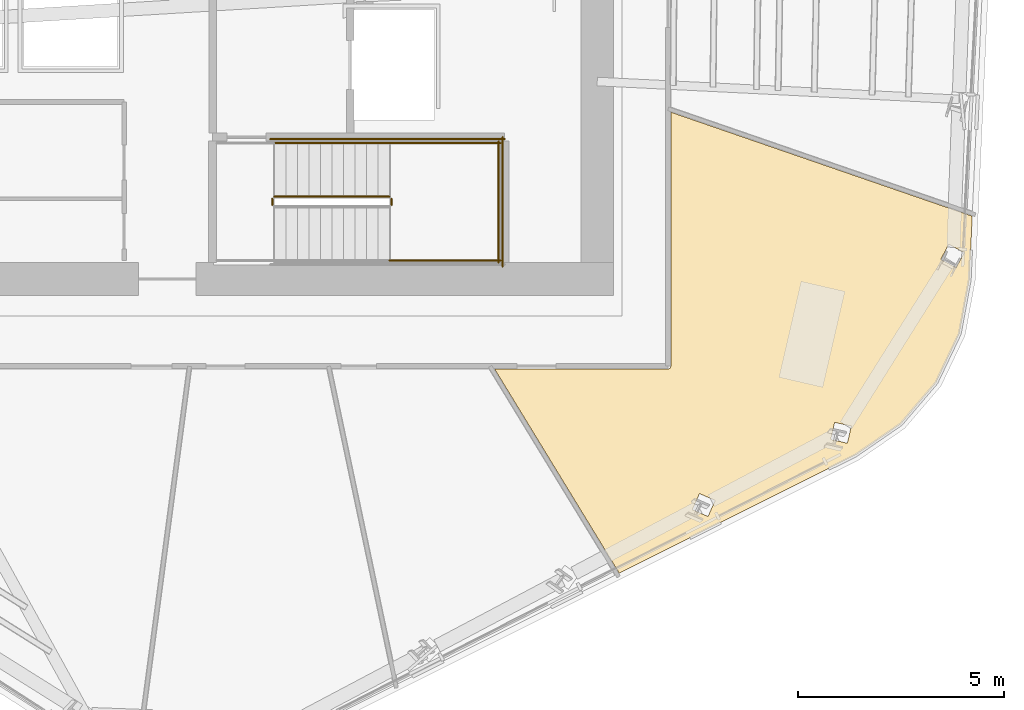
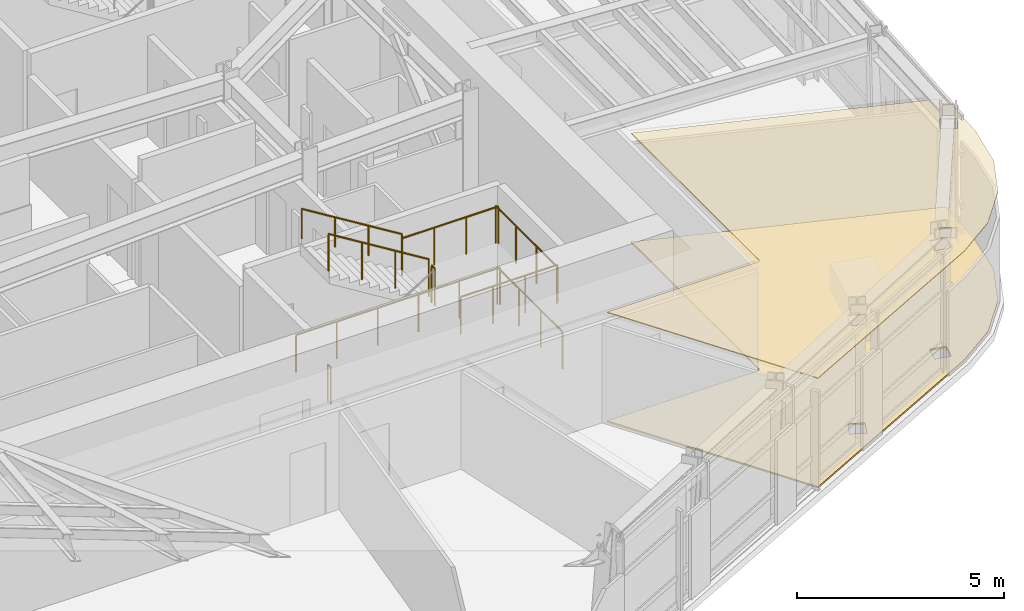
# One storey, part 10 of 14: 9 railings, 2 coverings.
"""IFC4 building model written with IfcOpenShell, lengths in metres."""

from ifc_helpers import new_model, si_unit, direction, frame, origin, origin_2d, place, context, subcontext, project, spatial, polyline, circle, outline, extrude, material, layer, layer_set, type_object, element, save


model = new_model("IFC4")

# Units and contexts
model_context = context("Model", 3, precision=1e-05, world=origin(), true_north=direction((0.0, 1.0)))
body_context = subcontext(model_context, "Body", "Model", "MODEL_VIEW")
ifc_project = project(units=[si_unit("LENGTHUNIT", "METRE"), si_unit("AREAUNIT", "SQUARE_METRE"), si_unit("VOLUMEUNIT", "CUBIC_METRE"), si_unit("PLANEANGLEUNIT", "RADIAN"), si_unit("MASSUNIT", "GRAM", prefix="KILO")], contexts=[model_context])

# Site, building, storey
site_placement = place(None, origin())
site = spatial("IfcSite", under=ifc_project, at=site_placement, CompositionType="ELEMENT")
building_placement = place(site_placement, origin())
building = spatial("IfcBuilding", under=site, at=building_placement, Name="Valkerne Bourse Tower", CompositionType="ELEMENT")
storey_placement = place(building_placement, frame((0.0, 0.0, 140.0)))
storey = spatial("IfcBuildingStorey", under=building, at=storey_placement, Name="L35", CompositionType="ELEMENT", Elevation=140.0)

# Coverings
ifc_material_1 = material(Name="Mineral Fiber Acoustic Ceiling Tile", Category="acoustic")
ifc_layer_1 = layer(ifc_material_1, 0.02490234375)
ifc_layer_set_1 = layer_set([ifc_layer_1], Name="Mineral Fiber Acoustic Ceiling Tile")
covering_type_1 = type_object("IfcCoveringType", Name="COV-CEIL-ACT", PredefinedType="CEILING", material=ifc_layer_set_1)
covering_1_placement = place(storey_placement, frame((0.0, 0.0, 3.22998046875)))
element("IfcCovering", 1, at=covering_1_placement, inside=storey, type_object=covering_type_1, Name="L35 Suspended Ceiling 08", PredefinedType="CEILING", context=body_context, shape_type="SweptSolid", body=[
    extrude(outline(polyline([(63.379150390625, 14.67333984375), (62.284423828125, 13.9208984375), (56.53515625, 11.04736328125), (53.50537109375, 16.010986328125), (57.720458984375, 16.010986328125), (57.75, 16.017822265625), (57.77587890625, 16.039306640625), (57.7890625, 16.079345703125), (57.7890625, 22.254150390625), (65.11572265625, 19.72705078125), (65.04638671875, 18.174072265625), (64.80419921875, 16.867919921875), (64.236083984375, 15.6767578125), (63.379150390625, 14.67333984375)]), holes=[polyline([(58.69482421875, 12.4267578125), (58.865234375, 12.814453125), (58.48681640625, 12.982177734375), (58.484619140625, 12.98046875), (58.31396484375, 12.592529296875), (58.692626953125, 12.425048828125), (58.69482421875, 12.4267578125)]), polyline([(62.17626953125, 14.62109375), (61.772705078125, 14.71484375), (61.77099609375, 14.712646484375), (61.676513671875, 14.2998046875), (62.079833984375, 14.206298828125), (62.081787109375, 14.20849609375), (62.17626953125, 14.62109375)]), polyline([(64.9208984375, 18.841064453125), (64.54638671875, 19.041015625), (64.3515625, 18.677001953125), (64.350341796875, 18.67431640625), (64.724853515625, 18.47412109375), (64.919677734375, 18.83837890625), (64.9208984375, 18.841064453125)])]), origin(), (0.0, 0.0, 1.0), 0.02490234375),
])
ifc_material_2 = material(Name="Galvanised Painted Steel", Category="steel")
ifc_layer_2 = layer(ifc_material_2, 0.044921875)
ifc_layer_set_2 = layer_set([ifc_layer_2], Name="Galvanised Painted Steel")
covering_type_2 = type_object("IfcCoveringType", Name="COV-FLR-RAF", PredefinedType="FLOORING", material=ifc_layer_set_2)
covering_2_placement = place(storey_placement, origin())
element("IfcCovering", 2, at=covering_2_placement, inside=storey, type_object=covering_type_2, Name="L35 Floor Finish 08", PredefinedType="FLOORING", context=body_context, shape_type="SweptSolid", body=[
    extrude(outline(polyline([(63.379150390625, 14.67333984375), (62.284423828125, 13.9208984375), (56.53515625, 11.04736328125), (53.50537109375, 16.010986328125), (57.720458984375, 16.010986328125), (57.75, 16.017822265625), (57.77587890625, 16.039306640625), (57.7890625, 16.079345703125), (57.7890625, 22.254150390625), (65.11572265625, 19.72705078125), (65.04638671875, 18.174072265625), (64.80419921875, 16.867919921875), (64.236083984375, 15.6767578125), (63.379150390625, 14.67333984375)]), holes=[polyline([(58.69482421875, 12.4267578125), (58.865234375, 12.814453125), (58.48681640625, 12.982177734375), (58.484619140625, 12.98046875), (58.31396484375, 12.592529296875), (58.692626953125, 12.425048828125), (58.69482421875, 12.4267578125)]), polyline([(62.17626953125, 14.62109375), (61.772705078125, 14.71484375), (61.77099609375, 14.712646484375), (61.676513671875, 14.2998046875), (62.079833984375, 14.206298828125), (62.081787109375, 14.20849609375), (62.17626953125, 14.62109375)]), polyline([(64.9208984375, 18.841064453125), (64.54638671875, 19.041015625), (64.3515625, 18.677001953125), (64.350341796875, 18.67431640625), (64.724853515625, 18.47412109375), (64.919677734375, 18.83837890625), (64.9208984375, 18.841064453125)])]), origin(), (0.0, 0.0, 1.0), 0.044921875),
])

# Railings
railing_type_1 = type_object("IfcRailingType", Name="RLG-ST-GUARD-1120", PredefinedType="GUARDRAIL", material=ifc_material_2)
railing_1_placement = place(storey_placement, frame((51.0, 20.0, 1.89990234375)))
element("IfcRailing", 3, at=railing_1_placement, inside=storey, type_object=railing_type_1, Name="L35 ST-1 stair guard 2", PredefinedType="GUARDRAIL", context=body_context, shape_type="SweptSolid", body=[
    extrude(circle(Radius=0.02392578125, at=origin_2d()), frame((0.0, 0.0, 1.09619140625), z_axis=(0.0, 1.0, 0.0), x_axis=(-1.0, 0.0, 0.0)), (0.0, 0.0, 1.0), 0.14990234375),
    extrude(circle(Radius=0.02099609375, at=origin_2d()), origin(), (0.0, 0.0, 1.0), 1.072021484375),
    extrude(circle(Radius=0.02099609375, at=origin_2d()), frame((0.0, 0.14990234375, 0.0)), (0.0, 0.0, 1.0), 1.072021484375),
])
for number, where, name in (
    (4, (50.949951171875, 18.64990234375, 1.89990234375), "L35 ST-1 stair guard 3"),
    (5, (50.949951171875, 21.5, 1.89990234375), "L35 ST-1 stair guard 4"),
):
    element("IfcRailing", number, at=place(storey_placement, frame(where)), inside=storey, type_object=railing_type_1, Name=name, PredefinedType="GUARDRAIL", context=body_context, shape_type="SweptSolid", body=[
        extrude(circle(Radius=0.02392578125, at=origin_2d()), frame((0.0, 0.0, 1.09619140625), z_axis=(1.0, 0.0, 0.0), x_axis=(0.0, 1.0, 0.0)), (0.0, 0.0, 1.0), 2.699951171875),
        extrude(circle(Radius=0.02099609375, at=origin_2d()), origin(), (0.0, 0.0, 1.0), 1.072021484375),
        extrude(circle(Radius=0.02099609375, at=origin_2d()), frame((0.89990234375, 0.0, 0.0)), (0.0, 0.0, 1.0), 1.072021484375),
        extrude(circle(Radius=0.02099609375, at=origin_2d()), frame((1.800048828125, 0.0, 0.0)), (0.0, 0.0, 1.0), 1.072021484375),
        extrude(circle(Radius=0.02099609375, at=origin_2d()), frame((2.699951171875, 0.0, 0.0)), (0.0, 0.0, 1.0), 1.072021484375),
    ])
railing_2_placement = place(storey_placement, frame((53.60009765625, 18.60009765625, 1.89990234375)))
element("IfcRailing", 6, at=railing_2_placement, inside=storey, type_object=railing_type_1, Name="L35 ST-1 stair guard 5", PredefinedType="GUARDRAIL", context=body_context, shape_type="SweptSolid", body=[
    extrude(circle(Radius=0.02392578125, at=origin_2d()), frame((0.0, 0.0, 1.09619140625), z_axis=(0.0, 1.0, 0.0), x_axis=(-1.0, 0.0, 0.0)), (0.0, 0.0, 1.0), 2.949951171875),
    extrude(circle(Radius=0.02099609375, at=origin_2d()), origin(), (0.0, 0.0, 1.0), 1.072021484375),
    extrude(circle(Radius=0.02099609375, at=origin_2d()), frame((0.0, 0.9833984375, 0.0)), (0.0, 0.0, 1.0), 1.072021484375),
    extrude(circle(Radius=0.02099609375, at=origin_2d()), frame((0.0, 1.966552734375, 0.0)), (0.0, 0.0, 1.0), 1.072021484375),
    extrude(circle(Radius=0.02099609375, at=origin_2d()), frame((0.0, 2.949951171875, 0.0)), (0.0, 0.0, 1.0), 1.072021484375),
])
railing_3_placement = place(storey_placement, frame((50.949951171875, 20.199951171875, 2.07275390625)))
element("IfcRailing", 7, at=railing_3_placement, inside=storey, type_object=railing_type_1, Name="L35 ST-1 stair guard 6", PredefinedType="GUARDRAIL", context=body_context, shape_type="SweptSolid", body=[
    extrude(circle(Radius=0.02392578125, at=origin_2d()), frame((0.0, 0.0, 1.09619140625), z_axis=(-0.851089632645, 0.0, 0.525020415988), x_axis=(0.0, -1.0, 0.0)), (0.0, 0.0, 1.0), 3.2900390625),
    extrude(circle(Radius=0.02099609375, at=origin_2d()), origin(), (0.0, 0.0, 1.0), 1.072021484375),
    extrude(circle(Radius=0.02099609375, at=origin_2d()), frame((-0.933349609375, 0.0, 0.57568359375)), (0.0, 0.0, 1.0), 1.072021484375),
    extrude(circle(Radius=0.02099609375, at=origin_2d()), frame((-1.86669921875, 0.0, 1.151611328125)), (0.0, 0.0, 1.0), 1.072021484375),
    extrude(circle(Radius=0.02099609375, at=origin_2d()), frame((-2.800048828125, 0.0, 1.727294921875)), (0.0, 0.0, 1.0), 1.072021484375),
])
railing_4_placement = place(storey_placement, frame((48.10009765625, 20.0, 0.0)))
element("IfcRailing", 8, at=railing_4_placement, inside=storey, type_object=railing_type_1, Name="L35 ST-1 stair guard 7", PredefinedType="GUARDRAIL", context=body_context, shape_type="SweptSolid", body=[
    extrude(circle(Radius=0.02392578125, at=origin_2d()), frame((0.0, 0.0, 1.09619140625), z_axis=(0.0, 1.0, 0.0), x_axis=(-1.0, 0.0, 0.0)), (0.0, 0.0, 1.0), 0.14990234375),
    extrude(circle(Radius=0.02099609375, at=origin_2d()), origin(), (0.0, 0.0, 1.0), 1.072021484375),
    extrude(circle(Radius=0.02099609375, at=origin_2d()), frame((0.0, 0.14990234375, 0.0)), (0.0, 0.0, 1.0), 1.072021484375),
])
railing_5_placement = place(storey_placement, frame((48.050048828125, 21.60009765625, 0.0)))
element("IfcRailing", 9, at=railing_5_placement, inside=storey, type_object=railing_type_1, Name="L35 ST-1 stair guard 11", PredefinedType="GUARDRAIL", context=body_context, shape_type="SweptSolid", body=[
    extrude(circle(Radius=0.02392578125, at=origin_2d()), frame((0.0, 0.0, 1.09619140625), z_axis=(1.0, 0.0, 0.0), x_axis=(0.0, 1.0, 0.0)), (0.0, 0.0, 1.0), 5.699951171875),
    extrude(circle(Radius=0.02099609375, at=origin_2d()), origin(), (0.0, 0.0, 1.0), 1.072021484375),
    extrude(circle(Radius=0.02099609375, at=origin_2d()), frame((1.139892578125, 0.0, 0.0)), (0.0, 0.0, 1.0), 1.072021484375),
    extrude(circle(Radius=0.02099609375, at=origin_2d()), frame((2.280029296875, 0.0, 0.0)), (0.0, 0.0, 1.0), 1.072021484375),
    extrude(circle(Radius=0.02099609375, at=origin_2d()), frame((3.419921875, 0.0, 0.0)), (0.0, 0.0, 1.0), 1.072021484375),
    extrude(circle(Radius=0.02099609375, at=origin_2d()), frame((4.56005859375, 0.0, 0.0)), (0.0, 0.0, 1.0), 1.072021484375),
    extrude(circle(Radius=0.02099609375, at=origin_2d()), frame((5.699951171875, 0.0, 0.0)), (0.0, 0.0, 1.0), 1.072021484375),
])
railing_6_placement = place(storey_placement, frame((53.699951171875, 18.5, 0.0)))
element("IfcRailing", 10, at=railing_6_placement, inside=storey, type_object=railing_type_1, Name="L35 ST-1 stair guard 12", PredefinedType="GUARDRAIL", context=body_context, shape_type="SweptSolid", body=[
    extrude(circle(Radius=0.02392578125, at=origin_2d()), frame((0.0, 0.0, 1.09619140625), z_axis=(0.0, 1.0, 0.0), x_axis=(-1.0, 0.0, 0.0)), (0.0, 0.0, 1.0), 3.14990234375),
    extrude(circle(Radius=0.02099609375, at=origin_2d()), origin(), (0.0, 0.0, 1.0), 1.072021484375),
    extrude(circle(Radius=0.02099609375, at=origin_2d()), frame((0.0, 1.050048828125, 0.0)), (0.0, 0.0, 1.0), 1.072021484375),
    extrude(circle(Radius=0.02099609375, at=origin_2d()), frame((0.0, 2.099853515625, 0.0)), (0.0, 0.0, 1.0), 1.072021484375),
    extrude(circle(Radius=0.02099609375, at=origin_2d()), frame((0.0, 3.14990234375, 0.0)), (0.0, 0.0, 1.0), 1.072021484375),
])
ifc_material_3 = material(Name="Stainless Steel AISI 316", Category="steel")
railing_type_2 = type_object("IfcRailingType", Name="RLG-ST-HANDRAIL-900", PredefinedType="HANDRAIL", material=ifc_material_3)
railing_7_placement = place(storey_placement, frame((50.949951171875, 21.5, 2.245361328125)))
element("IfcRailing", 11, at=railing_7_placement, inside=storey, type_object=railing_type_2, Name="L35 ST-1 stair handrail 2", PredefinedType="HANDRAIL", context=body_context, shape_type="SweptSolid", body=[
    extrude(circle(Radius=0.02392578125, at=origin_2d()), frame((0.0, 0.0, 0.8759765625), z_axis=(-0.851089632645, 0.0, 0.525020415988), x_axis=(0.0, -1.0, 0.0)), (0.0, 0.0, 1.0), 3.2900390625),
    extrude(circle(Radius=0.02099609375, at=origin_2d()), origin(), (0.0, 0.0, 1.0), 0.851806640625),
    extrude(circle(Radius=0.02099609375, at=origin_2d()), frame((-0.933349609375, 0.0, 0.57568359375)), (0.0, 0.0, 1.0), 0.851806640625),
    extrude(circle(Radius=0.02099609375, at=origin_2d()), frame((-1.86669921875, 0.0, 1.151611328125)), (0.0, 0.0, 1.0), 0.851806640625),
    extrude(circle(Radius=0.02099609375, at=origin_2d()), frame((-2.800048828125, 0.0, 1.727294921875)), (0.0, 0.0, 1.0), 0.851806640625),
])

save(model, "model.ifc")
